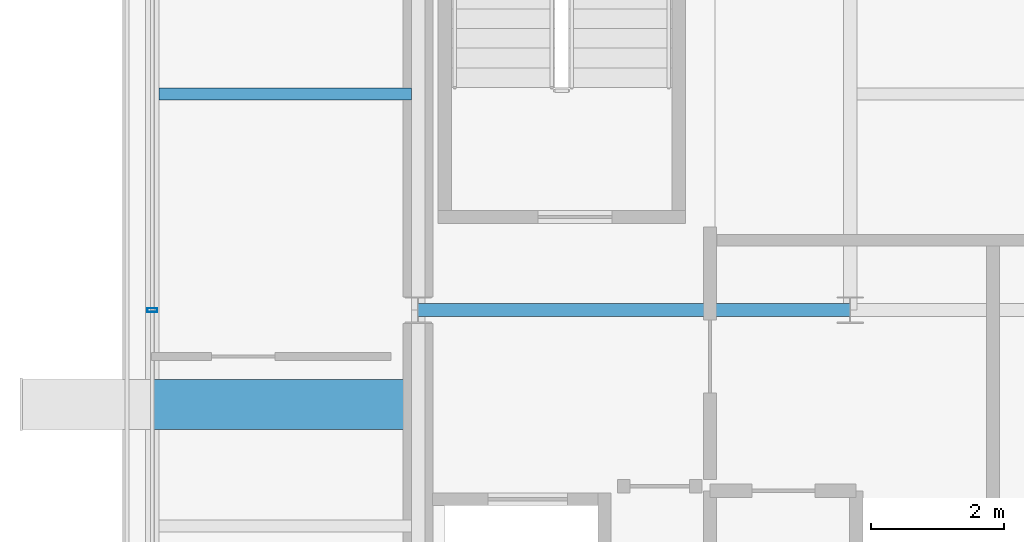
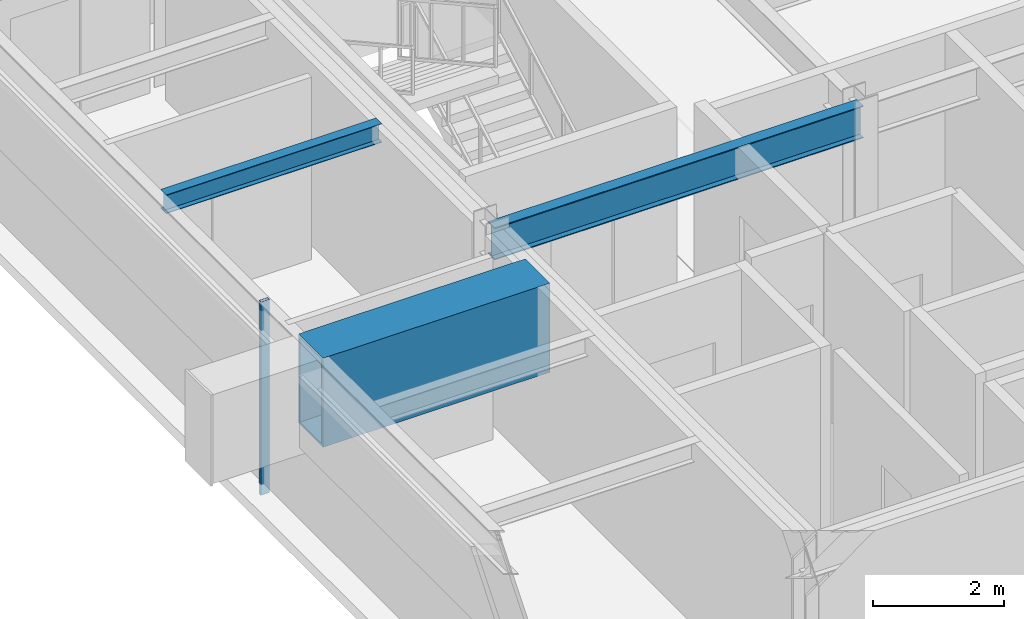
# One storey, part 7 of 20: 3 beams, 1 member, 1 element without a shape of its own.
"""IFC4 building model written with IfcOpenShell, lengths in metres."""

from ifc_helpers import new_model, si_unit, direction, frame, origin, origin_2d, place, context, subcontext, project, spatial, hollow_rectangle, i_section, extrude, material, layer, layer_set, material_profile, profile_set, type_object, element, aggregate, save


model = new_model("IFC4")

# Units and contexts
model_context = context("Model", 3, precision=1e-05, world=origin(), true_north=direction((0.0, 1.0)))
body_context = subcontext(model_context, "Body", "Model", "MODEL_VIEW")
ifc_project = project(units=[si_unit("LENGTHUNIT", "METRE"), si_unit("AREAUNIT", "SQUARE_METRE"), si_unit("VOLUMEUNIT", "CUBIC_METRE"), si_unit("PLANEANGLEUNIT", "RADIAN"), si_unit("MASSUNIT", "GRAM", prefix="KILO")], contexts=[model_context])

# Site, building, storey
site_placement = place(None, origin())
site = spatial("IfcSite", under=ifc_project, at=site_placement, CompositionType="ELEMENT")
building_placement = place(site_placement, origin())
building = spatial("IfcBuilding", under=site, at=building_placement, Name="Brelmoor Portico Tower", CompositionType="ELEMENT")
storey_placement = place(building_placement, frame((0.0, 0.0, 243.60009765625)))
storey = spatial("IfcBuildingStorey", under=building, at=storey_placement, Name="L64", CompositionType="ELEMENT", Elevation=243.60009765625)

# Beams
ifc_material_1 = material(Name="Steel Q355B", Category="steel")
ifc_material_profile_1 = material_profile(ifc_material_1, i_section(OverallWidth=0.175048828125, OverallDepth=0.35009765625, WebThickness=0.007080078125, FlangeThickness=0.010986328125, at=origin_2d()), Name="HN 350x175x7x11")
ifc_profile_set_1 = profile_set([ifc_material_profile_1], Name="Steel Q355B")
beam_type_1 = type_object("IfcBeamType", Name="BM-JS-350", PredefinedType="JOIST", material=ifc_profile_set_1)
beam_1_placement = place(storey_placement, frame((-18.449951171875, 3.25, 3.224853515625), z_axis=(1.0, 0.0, 0.0), x_axis=(0.0, 1.0, 0.0)))
element("IfcBeam", 1, at=beam_1_placement, inside=storey, type_object=beam_type_1, Name="L64 Secondary Wing Joist JS-W09", PredefinedType="JOIST", context=body_context, shape_type="SweptSolid", body=[
    extrude(i_section(OverallWidth=0.175048828125, OverallDepth=0.35009765625, WebThickness=0.007080078125, FlangeThickness=0.010986328125, at=origin_2d()), origin(), (0.0, 0.0, 1.0), 3.800048828125),
])
ifc_material_profile_2 = material_profile(ifc_material_1, i_section(OverallWidth=0.199951171875, OverallDepth=0.60009765625, WebThickness=0.010986328125, FlangeThickness=0.01708984375, at=origin_2d()), Name="HN 600x200x11x17")
ifc_profile_set_2 = profile_set([ifc_material_profile_2], Name="Steel Q355B")
beam_type_2 = type_object("IfcBeamType", Name="BM-PG-600", PredefinedType="BEAM", material=ifc_profile_set_2)
beam_2_placement = place(storey_placement, frame((-14.550048828125, 0.0, 3.099853515625), z_axis=(1.0, 0.0, 0.0), x_axis=(0.0, 1.0, 0.0)))
element("IfcBeam", 2, at=beam_2_placement, inside=storey, type_object=beam_type_2, Name="L64 Primary Floor Girder PG-16", PredefinedType="BEAM", context=body_context, shape_type="SweptSolid", body=[
    extrude(i_section(OverallWidth=0.199951171875, OverallDepth=0.60009765625, WebThickness=0.010986328125, FlangeThickness=0.01708984375, at=origin_2d()), origin(), (0.0, 0.0, 1.0), 6.5),
])
ifc_material_profile_3 = material_profile(ifc_material_1, hollow_rectangle(XDim=0.75, YDim=1.659912109375, WallThickness=0.0419921875, at=origin_2d()), Name="BOX 750x1660x42")
ifc_profile_set_3 = profile_set([ifc_material_profile_3], Name="Steel Q355B")
beam_type_3 = type_object("IfcBeamType", Name="BM-TG-Z2", PredefinedType="BEAM", material=ifc_profile_set_3)
beam_3_placement = place(storey_placement, frame((-18.550048828125, -1.419921875, 2.56982421875), z_axis=(1.0, 0.0, 0.0), x_axis=(0.0, 1.0, 0.0)))
element("IfcBeam", 3, at=beam_3_placement, inside=storey, type_object=beam_type_3, Name="L64 Picture-Frame Backspan Transfer Girder PFBS-04", PredefinedType="BEAM", context=body_context, shape_type="SweptSolid", body=[
    extrude(hollow_rectangle(XDim=0.75, YDim=1.659912109375, WallThickness=0.0419921875, at=origin_2d()), origin(), (0.0, 0.0, 1.0), 4.0),
])

# Curtain wall, member
ifc_material_2 = material(Name="Anodised Aluminium Alloy 6063-T6", Category="aluminium")
ifc_layer = layer(ifc_material_2, 0.179931640625)
ifc_layer_set = layer_set([ifc_layer], Name="Anodised Aluminium Alloy 6063-T6")
curtain_wall_type = type_object("IfcCurtainWallType", Name="CW-TOWER-Z4-XB", PredefinedType="NOTDEFINED", material=ifc_layer_set)
curtain_wall_placement = place(storey_placement, origin())
curtain_wall = element("IfcCurtainWall", 4, at=curtain_wall_placement, inside=storey, type_object=curtain_wall_type, Name="L64 Curtain Wall CW-L64-03-2", PredefinedType="NOTDEFINED")
ifc_material_profile_4 = material_profile(ifc_material_2, hollow_rectangle(XDim=0.06005859375, YDim=0.14990234375, WallThickness=0.00390625, at=origin_2d()), Name="ALU MULLION 60x150")
ifc_profile_set_4 = profile_set([ifc_material_profile_4], Name="Anodised Aluminium Alloy 6063-T6")
member_type = type_object("IfcMemberType", Name="MB-CW-MULL-150", PredefinedType="MULLION", material=ifc_profile_set_4)
member_placement = place(storey_placement, frame((-18.550048828125, 0.0, -0.2001953125), z_axis=(0.0, 0.0, 1.0), x_axis=(0.0, 1.0, 0.0)))
member = element("IfcMember", 5, at=member_placement, type_object=member_type, Name="CW-L64-03-2 Mullion 01", PredefinedType="MULLION", context=body_context, shape_type="SweptSolid", body=[
    extrude(hollow_rectangle(XDim=0.06005859375, YDim=0.14990234375, WallThickness=0.00390625, at=origin_2d()), origin(), (0.0, 0.0, 1.0), 3.60009765625),
])
aggregate(curtain_wall, [member])

save(model, "model.ifc")
